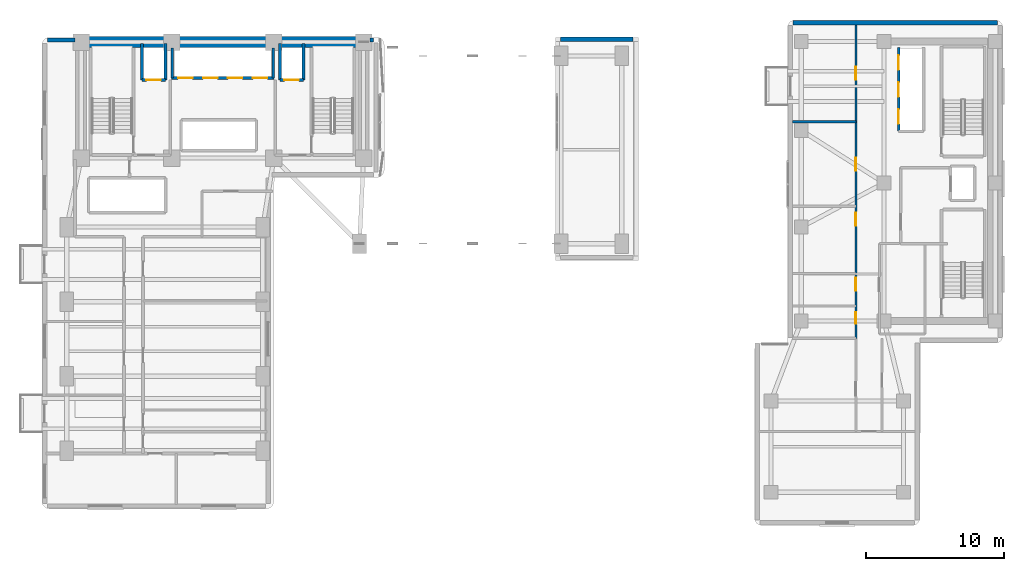
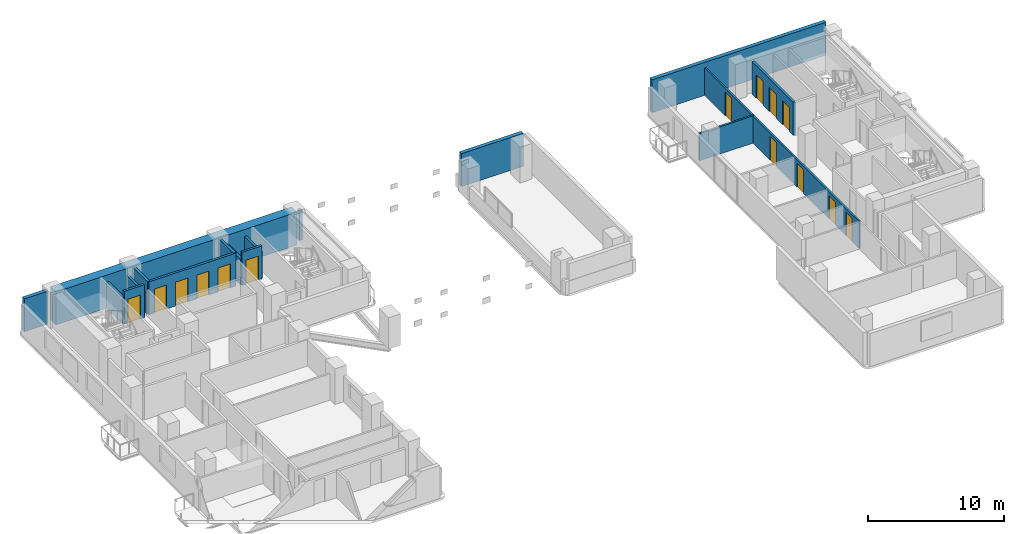
# One storey, part 10 of 14: 17 walls, 14 doors, 14 openings.
"""IFC4 building model written with IfcOpenShell, lengths in metres."""

from ifc_helpers import new_model, si_unit, direction, frame, frame_2d, origin, place, context, subcontext, project, spatial, rectangle, extrude, material, layer, layer_set, type_object, element, fill, save


model = new_model("IFC4")

# Units and contexts
model_context = context("Model", 3, precision=1e-05, world=origin(), true_north=direction((0.0, 1.0)))
body_context = subcontext(model_context, "Body", "Model", "MODEL_VIEW")
ifc_project = project(units=[si_unit("LENGTHUNIT", "METRE"), si_unit("AREAUNIT", "SQUARE_METRE"), si_unit("VOLUMEUNIT", "CUBIC_METRE"), si_unit("PLANEANGLEUNIT", "RADIAN"), si_unit("MASSUNIT", "GRAM", prefix="KILO")], contexts=[model_context])

# Site, building, storey
site_placement = place(None, origin())
site = spatial("IfcSite", under=ifc_project, at=site_placement, CompositionType="ELEMENT")
building_placement = place(site_placement, origin())
building = spatial("IfcBuilding", under=site, at=building_placement, Name="Kuzgunbayir Cultural Tower", CompositionType="ELEMENT")
storey_placement = place(building_placement, frame((0.0, 0.0, 36.60009765625)))
storey = spatial("IfcBuildingStorey", under=building, at=storey_placement, Name="L09", CompositionType="ELEMENT", Elevation=36.60009765625)

# Walls
ifc_material_1 = material(Name="Concrete C60/75", Category="concrete")
ifc_layer_1 = layer(ifc_material_1, 0.800048828125)
ifc_layer_set_1 = layer_set([ifc_layer_1], Name="Concrete C60/75")
wall_type_1 = type_object("IfcWallType", Name="WAL-CORE-800", PredefinedType="SHEAR", material=ifc_layer_set_1)
wall_1_placement = place(storey_placement, frame((6.449951171875, 42.199951171875, 0.0), z_axis=(0.0, 0.0, 1.0), x_axis=(1.0, 0.0, 0.0)))
element("IfcWall", 1, at=wall_1_placement, inside=storey, type_object=wall_type_1, Name="L09 T1 Core North Shear Wall", PredefinedType="SHEAR", context=body_context, shape_type="SweptSolid", body=[
    extrude(rectangle(XDim=20.449951171875, YDim=0.800048828125, at=frame_2d((10.22509765625, 0.0))), origin(), (0.0, 0.0, 1.0), 2.9599609375),
])
ifc_material_2 = material(Name="Travertine Buff Ashlar", Category="masonry")
ifc_layer_2 = layer(ifc_material_2, 0.320068359375)
ifc_layer_set_2 = layer_set([ifc_layer_2], Name="Travertine Buff Ashlar")
wall_type_2 = type_object("IfcWallType", Name="WAL-EXT-STONE-320", PredefinedType="STANDARD", material=ifc_layer_set_2)
wall_2_placement = place(storey_placement, frame((27.60009765625, 42.35009765625, 0.0), z_axis=(0.0, 0.0, 1.0), x_axis=(-1.0, 0.0, 0.0)))
element("IfcWall", 2, at=wall_2_placement, inside=storey, type_object=wall_type_2, Name="L09 North Wing B Limestone Wall", PredefinedType="STANDARD", context=body_context, shape_type="SweptSolid", body=[
    extrude(rectangle(XDim=0.25, YDim=0.320068359375, at=frame_2d((0.125, 0.0))), origin(), (0.0, 0.0, 1.0), 2.669921875),
])
wall_3_placement = place(storey_placement, frame((6.0, 42.35009765625, 0.0), z_axis=(0.0, 0.0, 1.0), x_axis=(-1.0, 0.0, 0.0)))
element("IfcWall", 3, at=wall_3_placement, inside=storey, type_object=wall_type_2, Name="L09 Core North-West Spandrel Link", PredefinedType="STANDARD", context=body_context, shape_type="SweptSolid", body=[
    extrude(rectangle(XDim=2.0, YDim=0.320068359375, at=frame_2d((1.0, 0.0))), origin(), (0.0, 0.0, 1.0), 2.9599609375),
])
wall_4_placement = place(storey_placement, frame((46.39990234375, 42.39990234375, 0.0), z_axis=(0.0, 0.0, 1.0), x_axis=(-1.0, 0.0, 0.0)))
element("IfcWall", 4, at=wall_4_placement, inside=storey, type_object=wall_type_2, Name="L09 Portal Pier North Wall", PredefinedType="STANDARD", context=body_context, shape_type="SweptSolid", body=[
    extrude(rectangle(XDim=5.25, YDim=0.320068359375, at=frame_2d((2.625, 0.0))), origin(), (0.0, 0.0, 1.0), 2.9599609375),
])
wall_5_placement = place(storey_placement, frame((72.800048828125, 43.60009765625, 0.0), z_axis=(0.0, 0.0, 1.0), x_axis=(-1.0, 0.0, 0.0)))
element("IfcWall", 5, at=wall_5_placement, inside=storey, type_object=wall_type_2, Name="L09 Companion North Limestone Wall", PredefinedType="STANDARD", context=body_context, shape_type="SweptSolid", body=[
    extrude(rectangle(XDim=14.800048828125, YDim=0.320068359375, at=frame_2d((7.39990234375, 0.0))), origin(), (0.0, 0.0, 1.0), 2.9599609375),
])

# Wall, openings, doors
ifc_material_3 = material(Name="Acoustic Double-Stud Drywall", Category="gypsum")
ifc_layer_3 = layer(ifc_material_3, 0.14990234375)
ifc_layer_set_3 = layer_set([ifc_layer_3], Name="Acoustic Double-Stud Drywall")
wall_type_3 = type_object("IfcWallType", Name="WAL-PART-ACOUSTIC-150", PredefinedType="PARTITIONING", material=ifc_layer_set_3)
wall_6_placement = place(storey_placement, frame((62.550048828125, 20.75, 0.0), z_axis=(0.0, 0.0, 1.0), x_axis=(0.0, 1.0, 0.0)))
wall_6 = element("IfcWall", 6, at=wall_6_placement, inside=storey, type_object=wall_type_3, Name="L09 Companion Corridor West Wall", PredefinedType="PARTITIONING", context=body_context, shape_type="SweptSolid", body=[
    extrude(rectangle(XDim=22.699951171875, YDim=0.14990234375, at=frame_2d((11.35009765625, 0.0))), origin(), (0.0, 0.0, 1.0), 2.449951171875),
])
opening_1_placement = place(wall_6_placement, frame((1.050048828125, 0.0, 0.0)))
opening_1 = element("IfcOpeningElement", 7, at=opening_1_placement, cuts=wall_6, Name="Opening DW-85", PredefinedType="OPENING", context=body_context, shape_type="SweptSolid", body=[
    extrude(rectangle(XDim=0.85009765625, YDim=2.10009765625, at=frame_2d((0.425048828125, 1.050048828125))), frame((0.0, 0.0849609375, 0.0), z_axis=(0.0, -1.0, 0.0), x_axis=(1.0, 0.0, 0.0)), (0.0, 0.0, 1.0), 0.169921875),
])
opening_2_placement = place(wall_6_placement, frame((3.429931640625, 0.0, 0.0)))
opening_2 = element("IfcOpeningElement", 8, at=opening_2_placement, cuts=wall_6, Name="Opening DW-95", PredefinedType="OPENING", context=body_context, shape_type="SweptSolid", body=[
    extrude(rectangle(XDim=0.949951171875, YDim=2.10009765625, at=frame_2d((0.47509765625, 1.050048828125))), frame((0.0, 0.0849609375, 0.0), z_axis=(0.0, -1.0, 0.0), x_axis=(1.0, 0.0, 0.0)), (0.0, 0.0, 1.0), 0.169921875),
])
opening_3_placement = place(wall_6_placement, frame((8.14990234375, 0.0, 0.0)))
opening_3 = element("IfcOpeningElement", 9, at=opening_3_placement, cuts=wall_6, Name="Opening DI-90", PredefinedType="OPENING", context=body_context, shape_type="SweptSolid", body=[
    extrude(rectangle(XDim=0.949951171875, YDim=2.14990234375, at=frame_2d((0.47509765625, 1.074951171875))), frame((0.0, 0.0849609375, 0.0), z_axis=(0.0, -1.0, 0.0), x_axis=(1.0, 0.0, 0.0)), (0.0, 0.0, 1.0), 0.169921875),
])
opening_4_placement = place(wall_6_placement, frame((12.139892578125, 0.0, 0.0)))
opening_4 = element("IfcOpeningElement", 10, at=opening_4_placement, cuts=wall_6, Name="Opening DI-90", PredefinedType="OPENING", context=body_context, shape_type="SweptSolid", body=[
    extrude(rectangle(XDim=0.949951171875, YDim=2.14990234375, at=frame_2d((0.47509765625, 1.074951171875))), frame((0.0, 0.0849609375, 0.0), z_axis=(0.0, -1.0, 0.0), x_axis=(1.0, 0.0, 0.0)), (0.0, 0.0, 1.0), 0.169921875),
])
opening_5_placement = place(wall_6_placement, frame((18.7099609375, 0.0, 0.0)))
opening_5 = element("IfcOpeningElement", 11, at=opening_5_placement, cuts=wall_6, Name="Opening DI-90", PredefinedType="OPENING", context=body_context, shape_type="SweptSolid", body=[
    extrude(rectangle(XDim=0.949951171875, YDim=2.14990234375, at=frame_2d((0.47509765625, 1.074951171875))), frame((0.0, 0.0849609375, 0.0), z_axis=(0.0, -1.0, 0.0), x_axis=(1.0, 0.0, 0.0)), (0.0, 0.0, 1.0), 0.169921875),
])
ifc_material_4 = material(Name="Veneered Oak Single Leaf", Category="wood")
door_type_1 = type_object("IfcDoorType", Name="DR-INT-90", OperationType="NOTDEFINED", PredefinedType="DOOR", material=ifc_material_4)
door_1_placement = place(opening_3_placement, origin())
door_1 = element("IfcDoor", 12, at=door_1_placement, inside=storey, type_object=door_type_1, Name="L09 Companion Art Publication Salon 1 Door", OperationType="SINGLE_SWING_LEFT", OverallHeight=2.14990234375, OverallWidth=0.949951171875, PredefinedType="DOOR", context=body_context, shape_type="SweptSolid", body=[
    extrude(rectangle(XDim=0.949951171875, YDim=2.14990234375, at=frame_2d((0.47509765625, 1.074951171875))), frame((0.0, 0.02490234375, 0.0), z_axis=(0.0, -1.0, 0.0), x_axis=(1.0, 0.0, 0.0)), (0.0, 0.0, 1.0), 0.050048828125),
])
fill(opening_3, door_1)
door_2_placement = place(opening_4_placement, origin())
door_2 = element("IfcDoor", 13, at=door_2_placement, inside=storey, type_object=door_type_1, Name="L09 Companion Curatorial Office 2 Door", OperationType="SINGLE_SWING_RIGHT", OverallHeight=2.14990234375, OverallWidth=0.949951171875, PredefinedType="DOOR", context=body_context, shape_type="SweptSolid", body=[
    extrude(rectangle(XDim=0.949951171875, YDim=2.14990234375, at=frame_2d((0.47509765625, 1.074951171875))), frame((0.0, 0.02490234375, 0.0), z_axis=(0.0, -1.0, 0.0), x_axis=(1.0, 0.0, 0.0)), (0.0, 0.0, 1.0), 0.050048828125),
])
fill(opening_4, door_2)
door_3_placement = place(opening_5_placement, origin())
door_3 = element("IfcDoor", 14, at=door_3_placement, inside=storey, type_object=door_type_1, Name="L09 Companion Seminar Boardroom 3 Door", OperationType="SINGLE_SWING_LEFT", OverallHeight=2.14990234375, OverallWidth=0.949951171875, PredefinedType="DOOR", context=body_context, shape_type="SweptSolid", body=[
    extrude(rectangle(XDim=0.949951171875, YDim=2.14990234375, at=frame_2d((0.47509765625, 1.074951171875))), frame((0.0, 0.02490234375, 0.0), z_axis=(0.0, -1.0, 0.0), x_axis=(1.0, 0.0, 0.0)), (0.0, 0.0, 1.0), 0.050048828125),
])
fill(opening_5, door_3)
ifc_material_5 = material(Name="Laminate Moisture-Resistant Leaf", Category="wood")
door_type_2 = type_object("IfcDoorType", Name="DR-WET-85", OperationType="NOTDEFINED", PredefinedType="DOOR", material=ifc_material_5)
door_4_placement = place(opening_1_placement, origin())
door_4 = element("IfcDoor", 15, at=door_4_placement, inside=storey, type_object=door_type_2, Name="L09 Companion WC Door", OperationType="SINGLE_SWING_LEFT", OverallHeight=2.10009765625, OverallWidth=0.85009765625, PredefinedType="DOOR", context=body_context, shape_type="SweptSolid", body=[
    extrude(rectangle(XDim=0.85009765625, YDim=2.10009765625, at=frame_2d((0.425048828125, 1.050048828125))), frame((0.0, 0.02490234375, 0.0), z_axis=(0.0, -1.0, 0.0), x_axis=(1.0, 0.0, 0.0)), (0.0, 0.0, 1.0), 0.050048828125),
])
fill(opening_1, door_4)
door_type_3 = type_object("IfcDoorType", Name="DR-WET-95", OperationType="NOTDEFINED", PredefinedType="DOOR", material=ifc_material_5)
door_5_placement = place(opening_2_placement, origin())
door_5 = element("IfcDoor", 16, at=door_5_placement, inside=storey, type_object=door_type_3, Name="L09 Companion Accessible WC Door", OperationType="SINGLE_SWING_RIGHT", OverallHeight=2.10009765625, OverallWidth=0.949951171875, PredefinedType="DOOR", context=body_context, shape_type="SweptSolid", body=[
    extrude(rectangle(XDim=0.949951171875, YDim=2.10009765625, at=frame_2d((0.47509765625, 1.050048828125))), frame((0.0, 0.02490234375, 0.0), z_axis=(0.0, -1.0, 0.0), x_axis=(1.0, 0.0, 0.0)), (0.0, 0.0, 1.0), 0.050048828125),
])
fill(opening_2, door_5)

# Wall
wall_7_placement = place(storey_placement, frame((57.949951171875, 36.429931640625, 0.0), z_axis=(0.0, 0.0, 1.0), x_axis=(1.0, 0.0, 0.0)))
element("IfcWall", 17, at=wall_7_placement, inside=storey, type_object=wall_type_3, Name="L09 Companion Studio Partition 2", PredefinedType="PARTITIONING", context=body_context, shape_type="SweptSolid", body=[
    extrude(rectangle(XDim=4.60009765625, YDim=0.14990234375, at=frame_2d((2.300048828125, 0.0))), origin(), (0.0, 0.0, 1.0), 2.449951171875),
])

# Wall, opening, door
ifc_material_6 = material(Name="Concrete C40/50", Category="concrete")
ifc_layer_4 = layer(ifc_material_6, 0.199951171875)
ifc_layer_set_4 = layer_set([ifc_layer_4], Name="Concrete C40/50")
wall_type_4 = type_object("IfcWallType", Name="WAL-SHAFT-200", PredefinedType="MOVABLE", material=ifc_layer_set_4)
wall_8_placement = place(storey_placement, frame((10.85009765625, 39.449951171875, 0.0), z_axis=(0.0, 0.0, 1.0), x_axis=(1.0, 0.0, 0.0)))
wall_8 = element("IfcWall", 18, at=wall_8_placement, inside=storey, type_object=wall_type_4, Name="L09 FFL-1 Lift Front Wall", PredefinedType="MOVABLE", context=body_context, shape_type="SweptSolid", body=[
    extrude(rectangle(XDim=1.699951171875, YDim=0.199951171875, at=frame_2d((0.85009765625, 0.0))), origin(), (0.0, 0.0, 1.0), 2.9599609375),
])
opening_6_placement = place(wall_8_placement, frame((0.320068359375, 0.0, 0.0)))
opening_6 = element("IfcOpeningElement", 19, at=opening_6_placement, cuts=wall_8, Name="Opening LD", PredefinedType="OPENING", context=body_context, shape_type="SweptSolid", body=[
    extrude(rectangle(XDim=1.050048828125, YDim=2.14990234375, at=frame_2d((0.52490234375, 1.074951171875))), frame((0.0, 0.10986328125, 0.0), z_axis=(0.0, -1.0, 0.0), x_axis=(1.0, 0.0, 0.0)), (0.0, 0.0, 1.0), 0.219970703125),
])
ifc_material_7 = material(Name="Brushed Stainless Steel", Category="steel")
door_type_4 = type_object("IfcDoorType", Name="DR-LIFT-LANDING", OperationType="SLIDING_TO_LEFT", PredefinedType="DOOR", material=ifc_material_7)
door_6_placement = place(opening_6_placement, origin())
door_6 = element("IfcDoor", 20, at=door_6_placement, inside=storey, type_object=door_type_4, Name="L09 Lift FFL-1 Landing Door", OperationType="SLIDING_TO_LEFT", OverallHeight=2.14990234375, OverallWidth=1.050048828125, PredefinedType="DOOR", context=body_context, shape_type="SweptSolid", body=[
    extrude(rectangle(XDim=1.050048828125, YDim=2.14990234375, at=frame_2d((0.52490234375, 1.074951171875))), frame((0.0, 0.02490234375, 0.0), z_axis=(0.0, -1.0, 0.0), x_axis=(1.0, 0.0, 0.0)), (0.0, 0.0, 1.0), 0.050048828125),
])
fill(opening_6, door_6)

wall_9_placement = place(storey_placement, frame((20.85009765625, 39.449951171875, 0.0), z_axis=(0.0, 0.0, 1.0), x_axis=(1.0, 0.0, 0.0)))
wall_9 = element("IfcWall", 21, at=wall_9_placement, inside=storey, type_object=wall_type_4, Name="L09 FFL-2 Lift Front Wall", PredefinedType="MOVABLE", context=body_context, shape_type="SweptSolid", body=[
    extrude(rectangle(XDim=1.699951171875, YDim=0.199951171875, at=frame_2d((0.85009765625, 0.0))), origin(), (0.0, 0.0, 1.0), 2.9599609375),
])
opening_7_placement = place(wall_9_placement, frame((0.320068359375, 0.0, 0.0)))
opening_7 = element("IfcOpeningElement", 22, at=opening_7_placement, cuts=wall_9, Name="Opening LD", PredefinedType="OPENING", context=body_context, shape_type="SweptSolid", body=[
    extrude(rectangle(XDim=1.050048828125, YDim=2.14990234375, at=frame_2d((0.52490234375, 1.074951171875))), frame((0.0, 0.10986328125, 0.0), z_axis=(0.0, -1.0, 0.0), x_axis=(1.0, 0.0, 0.0)), (0.0, 0.0, 1.0), 0.219970703125),
])
door_7_placement = place(opening_7_placement, origin())
door_7 = element("IfcDoor", 23, at=door_7_placement, inside=storey, type_object=door_type_4, Name="L09 Lift FFL-2 Landing Door", OperationType="SLIDING_TO_LEFT", OverallHeight=2.14990234375, OverallWidth=1.050048828125, PredefinedType="DOOR", context=body_context, shape_type="SweptSolid", body=[
    extrude(rectangle(XDim=1.050048828125, YDim=2.14990234375, at=frame_2d((0.52490234375, 1.074951171875))), frame((0.0, 0.02490234375, 0.0), z_axis=(0.0, -1.0, 0.0), x_axis=(1.0, 0.0, 0.0)), (0.0, 0.0, 1.0), 0.050048828125),
])
fill(opening_7, door_7)

# Walls
for number, where, z_axis, x_axis, name in (
    (24, (10.85009765625, 39.449951171875, 0.0), (0.0, 0.0, 1.0), (0.0, 1.0, 0.0), "L09 FFL-1 Shaft West Wall"),
    (25, (12.550048828125, 39.449951171875, 0.0), (0.0, 0.0, 1.0), (0.0, 1.0, 0.0), "L09 FFL-1 Shaft East Wall"),
    (26, (20.85009765625, 39.449951171875, 0.0), (0.0, 0.0, 1.0), (0.0, 1.0, 0.0), "L09 FFL-2 Shaft West Wall"),
    (27, (22.550048828125, 39.449951171875, 0.0), (0.0, 0.0, 1.0), (0.0, 1.0, 0.0), "L09 FFL-2 Shaft East Wall"),
):
    element("IfcWall", number, at=place(storey_placement, frame(where, z_axis=z_axis, x_axis=x_axis)), inside=storey, type_object=wall_type_4, Name=name, PredefinedType="MOVABLE", context=body_context, shape_type="SweptSolid", body=[
        extrude(rectangle(XDim=2.650146484375, YDim=0.199951171875, at=frame_2d((1.3251953125, 0.0))), origin(), (0.0, 0.0, 1.0), 2.349853515625),
    ])

# Wall, openings, doors
wall_10_placement = place(storey_placement, frame((13.0, 39.60009765625, 0.0), z_axis=(0.0, 0.0, 1.0), x_axis=(1.0, 0.0, 0.0)))
wall_10 = element("IfcWall", 28, at=wall_10_placement, inside=storey, type_object=wall_type_4, Name="L09 Low-Rise Lift Front Wall", PredefinedType="MOVABLE", context=body_context, shape_type="SweptSolid", body=[
    extrude(rectangle(XDim=7.39990234375, YDim=0.199951171875, at=frame_2d((3.699951171875, 0.0))), origin(), (0.0, 0.0, 1.0), 2.9599609375),
])
opening_8_placement = place(wall_10_placement, frame((0.469970703125, 0.0, 0.0)))
opening_8 = element("IfcOpeningElement", 29, at=opening_8_placement, cuts=wall_10, Name="Opening LD", PredefinedType="OPENING", context=body_context, shape_type="SweptSolid", body=[
    extrude(rectangle(XDim=1.050048828125, YDim=2.14990234375, at=frame_2d((0.52490234375, 1.074951171875))), frame((0.0, 0.10986328125, 0.0), z_axis=(0.0, -1.0, 0.0), x_axis=(1.0, 0.0, 0.0)), (0.0, 0.0, 1.0), 0.219970703125),
])
opening_9_placement = place(wall_10_placement, frame((2.280029296875, 0.0, 0.0)))
opening_9 = element("IfcOpeningElement", 30, at=opening_9_placement, cuts=wall_10, Name="Opening LD", PredefinedType="OPENING", context=body_context, shape_type="SweptSolid", body=[
    extrude(rectangle(XDim=1.050048828125, YDim=2.14990234375, at=frame_2d((0.52490234375, 1.074951171875))), frame((0.0, 0.10986328125, 0.0), z_axis=(0.0, -1.0, 0.0), x_axis=(1.0, 0.0, 0.0)), (0.0, 0.0, 1.0), 0.219970703125),
])
opening_10_placement = place(wall_10_placement, frame((4.080078125, 0.0, 0.0)))
opening_10 = element("IfcOpeningElement", 31, at=opening_10_placement, cuts=wall_10, Name="Opening LD", PredefinedType="OPENING", context=body_context, shape_type="SweptSolid", body=[
    extrude(rectangle(XDim=1.050048828125, YDim=2.14990234375, at=frame_2d((0.52490234375, 1.074951171875))), frame((0.0, 0.10986328125, 0.0), z_axis=(0.0, -1.0, 0.0), x_axis=(1.0, 0.0, 0.0)), (0.0, 0.0, 1.0), 0.219970703125),
])
opening_11_placement = place(wall_10_placement, frame((5.8798828125, 0.0, 0.0)))
opening_11 = element("IfcOpeningElement", 32, at=opening_11_placement, cuts=wall_10, Name="Opening LD", PredefinedType="OPENING", context=body_context, shape_type="SweptSolid", body=[
    extrude(rectangle(XDim=1.050048828125, YDim=2.14990234375, at=frame_2d((0.52490234375, 1.074951171875))), frame((0.0, 0.10986328125, 0.0), z_axis=(0.0, -1.0, 0.0), x_axis=(1.0, 0.0, 0.0)), (0.0, 0.0, 1.0), 0.219970703125),
])
door_8_placement = place(opening_8_placement, origin())
door_8 = element("IfcDoor", 33, at=door_8_placement, inside=storey, type_object=door_type_4, Name="L09 Lift PL-1 Landing Door", OperationType="SLIDING_TO_LEFT", OverallHeight=2.14990234375, OverallWidth=1.050048828125, PredefinedType="DOOR", context=body_context, shape_type="SweptSolid", body=[
    extrude(rectangle(XDim=1.050048828125, YDim=2.14990234375, at=frame_2d((0.52490234375, 1.074951171875))), frame((0.0, 0.02490234375, 0.0), z_axis=(0.0, -1.0, 0.0), x_axis=(1.0, 0.0, 0.0)), (0.0, 0.0, 1.0), 0.050048828125),
])
fill(opening_8, door_8)
door_9_placement = place(opening_9_placement, origin())
door_9 = element("IfcDoor", 34, at=door_9_placement, inside=storey, type_object=door_type_4, Name="L09 Lift PL-2 Landing Door", OperationType="SLIDING_TO_LEFT", OverallHeight=2.14990234375, OverallWidth=1.050048828125, PredefinedType="DOOR", context=body_context, shape_type="SweptSolid", body=[
    extrude(rectangle(XDim=1.050048828125, YDim=2.14990234375, at=frame_2d((0.52490234375, 1.074951171875))), frame((0.0, 0.02490234375, 0.0), z_axis=(0.0, -1.0, 0.0), x_axis=(1.0, 0.0, 0.0)), (0.0, 0.0, 1.0), 0.050048828125),
])
fill(opening_9, door_9)
door_10_placement = place(opening_10_placement, origin())
door_10 = element("IfcDoor", 35, at=door_10_placement, inside=storey, type_object=door_type_4, Name="L09 Lift PL-3 Landing Door", OperationType="SLIDING_TO_LEFT", OverallHeight=2.14990234375, OverallWidth=1.050048828125, PredefinedType="DOOR", context=body_context, shape_type="SweptSolid", body=[
    extrude(rectangle(XDim=1.050048828125, YDim=2.14990234375, at=frame_2d((0.52490234375, 1.074951171875))), frame((0.0, 0.02490234375, 0.0), z_axis=(0.0, -1.0, 0.0), x_axis=(1.0, 0.0, 0.0)), (0.0, 0.0, 1.0), 0.050048828125),
])
fill(opening_10, door_10)
door_11_placement = place(opening_11_placement, origin())
door_11 = element("IfcDoor", 36, at=door_11_placement, inside=storey, type_object=door_type_4, Name="L09 Lift PL-4 Landing Door", OperationType="SLIDING_TO_LEFT", OverallHeight=2.14990234375, OverallWidth=1.050048828125, PredefinedType="DOOR", context=body_context, shape_type="SweptSolid", body=[
    extrude(rectangle(XDim=1.050048828125, YDim=2.14990234375, at=frame_2d((0.52490234375, 1.074951171875))), frame((0.0, 0.02490234375, 0.0), z_axis=(0.0, -1.0, 0.0), x_axis=(1.0, 0.0, 0.0)), (0.0, 0.0, 1.0), 0.050048828125),
])
fill(opening_11, door_11)

# Walls
for number, where, z_axis, x_axis, name in (
    (37, (13.050048828125, 39.60009765625, 0.0), (0.0, 0.0, 1.0), (0.0, 1.0, 0.0), "L09 Low-Rise Lift Shaft West Wall"),
    (38, (20.35009765625, 39.60009765625, 0.0), (0.0, 0.0, 1.0), (0.0, 1.0, 0.0), "L09 Low-Rise Lift Shaft East Wall"),
):
    element("IfcWall", number, at=place(storey_placement, frame(where, z_axis=z_axis, x_axis=x_axis)), inside=storey, type_object=wall_type_4, Name=name, PredefinedType="MOVABLE", context=body_context, shape_type="SweptSolid", body=[
        extrude(rectangle(XDim=2.179931640625, YDim=0.199951171875, at=frame_2d((1.08984375, 0.0))), origin(), (0.0, 0.0, 1.0), 2.9599609375),
    ])

# Wall, openings, doors
wall_11_placement = place(storey_placement, frame((65.64990234375, 35.75, 0.0), z_axis=(0.0, 0.0, 1.0), x_axis=(0.0, 1.0, 0.0)))
wall_11 = element("IfcWall", 39, at=wall_11_placement, inside=storey, type_object=wall_type_4, Name="L09 Companion Lift Front Wall", PredefinedType="MOVABLE", context=body_context, shape_type="SweptSolid", body=[
    extrude(rectangle(XDim=6.050048828125, YDim=0.199951171875, at=frame_2d((3.02490234375, 0.0))), origin(), (0.0, 0.0, 1.0), 2.9599609375),
])
opening_12_placement = place(wall_11_placement, frame((0.52001953125, 0.0, 0.0)))
opening_12 = element("IfcOpeningElement", 40, at=opening_12_placement, cuts=wall_11, Name="Opening LD", PredefinedType="OPENING", context=body_context, shape_type="SweptSolid", body=[
    extrude(rectangle(XDim=1.050048828125, YDim=2.14990234375, at=frame_2d((0.52490234375, 1.074951171875))), frame((0.0, 0.10986328125, 0.0), z_axis=(0.0, -1.0, 0.0), x_axis=(1.0, 0.0, 0.0)), (0.0, 0.0, 1.0), 0.219970703125),
])
opening_13_placement = place(wall_11_placement, frame((2.47998046875, 0.0, 0.0)))
opening_13 = element("IfcOpeningElement", 41, at=opening_13_placement, cuts=wall_11, Name="Opening LD", PredefinedType="OPENING", context=body_context, shape_type="SweptSolid", body=[
    extrude(rectangle(XDim=1.050048828125, YDim=2.14990234375, at=frame_2d((0.52490234375, 1.074951171875))), frame((0.0, 0.10986328125, 0.0), z_axis=(0.0, -1.0, 0.0), x_axis=(1.0, 0.0, 0.0)), (0.0, 0.0, 1.0), 0.219970703125),
])
opening_14_placement = place(wall_11_placement, frame((4.429931640625, 0.0, 0.0)))
opening_14 = element("IfcOpeningElement", 42, at=opening_14_placement, cuts=wall_11, Name="Opening LD", PredefinedType="OPENING", context=body_context, shape_type="SweptSolid", body=[
    extrude(rectangle(XDim=1.050048828125, YDim=2.14990234375, at=frame_2d((0.52490234375, 1.074951171875))), frame((0.0, 0.10986328125, 0.0), z_axis=(0.0, -1.0, 0.0), x_axis=(1.0, 0.0, 0.0)), (0.0, 0.0, 1.0), 0.219970703125),
])
door_12_placement = place(opening_12_placement, origin())
door_12 = element("IfcDoor", 43, at=door_12_placement, inside=storey, type_object=door_type_4, Name="L09 Lift PC-1 Landing Door", OperationType="SLIDING_TO_LEFT", OverallHeight=2.14990234375, OverallWidth=1.050048828125, PredefinedType="DOOR", context=body_context, shape_type="SweptSolid", body=[
    extrude(rectangle(XDim=1.050048828125, YDim=2.14990234375, at=frame_2d((0.52490234375, 1.074951171875))), frame((0.0, 0.02490234375, 0.0), z_axis=(0.0, -1.0, 0.0), x_axis=(1.0, 0.0, 0.0)), (0.0, 0.0, 1.0), 0.050048828125),
])
fill(opening_12, door_12)
door_13_placement = place(opening_13_placement, origin())
door_13 = element("IfcDoor", 44, at=door_13_placement, inside=storey, type_object=door_type_4, Name="L09 Lift PC-2 Landing Door", OperationType="SLIDING_TO_LEFT", OverallHeight=2.14990234375, OverallWidth=1.050048828125, PredefinedType="DOOR", context=body_context, shape_type="SweptSolid", body=[
    extrude(rectangle(XDim=1.050048828125, YDim=2.14990234375, at=frame_2d((0.52490234375, 1.074951171875))), frame((0.0, 0.02490234375, 0.0), z_axis=(0.0, -1.0, 0.0), x_axis=(1.0, 0.0, 0.0)), (0.0, 0.0, 1.0), 0.050048828125),
])
fill(opening_13, door_13)
door_14_placement = place(opening_14_placement, origin())
door_14 = element("IfcDoor", 45, at=door_14_placement, inside=storey, type_object=door_type_4, Name="L09 Lift PC-3 Landing Door", OperationType="SLIDING_TO_LEFT", OverallHeight=2.14990234375, OverallWidth=1.050048828125, PredefinedType="DOOR", context=body_context, shape_type="SweptSolid", body=[
    extrude(rectangle(XDim=1.050048828125, YDim=2.14990234375, at=frame_2d((0.52490234375, 1.074951171875))), frame((0.0, 0.02490234375, 0.0), z_axis=(0.0, -1.0, 0.0), x_axis=(1.0, 0.0, 0.0)), (0.0, 0.0, 1.0), 0.050048828125),
])
fill(opening_14, door_14)

save(model, "model.ifc")
